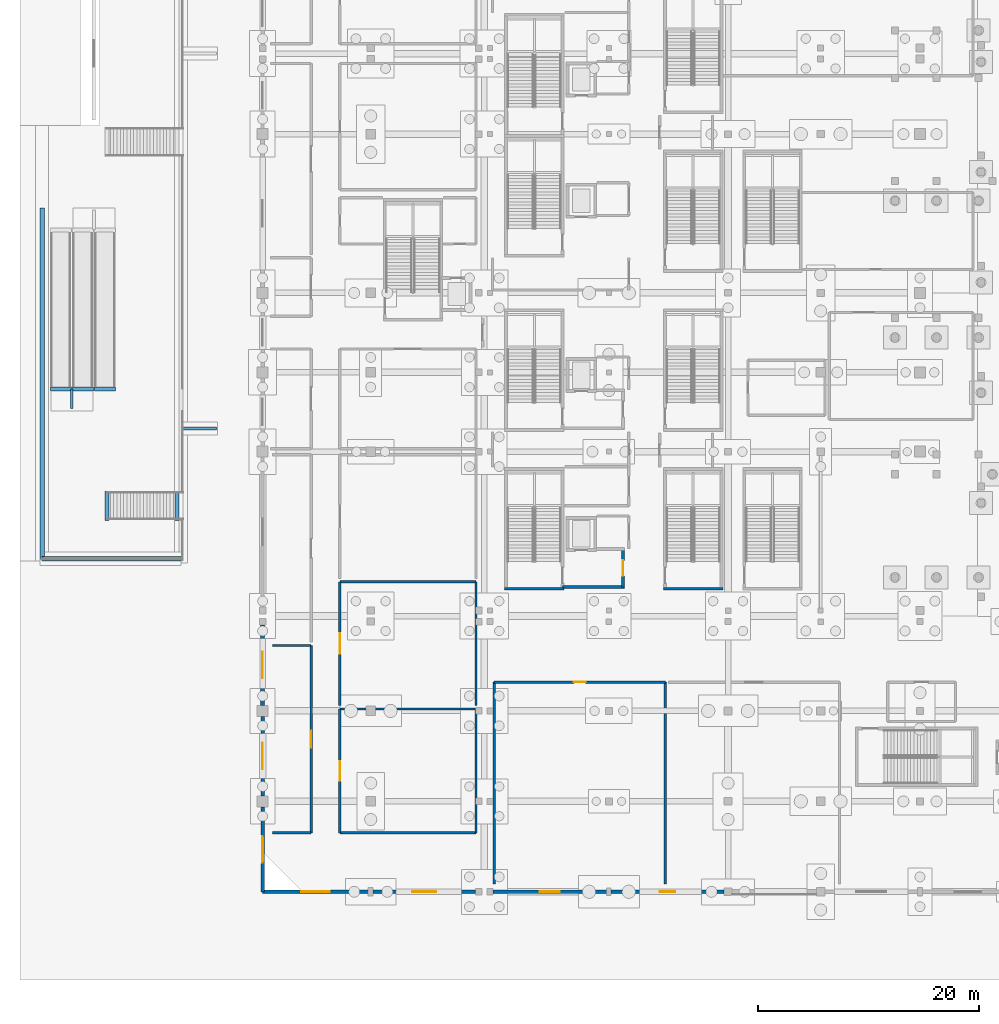
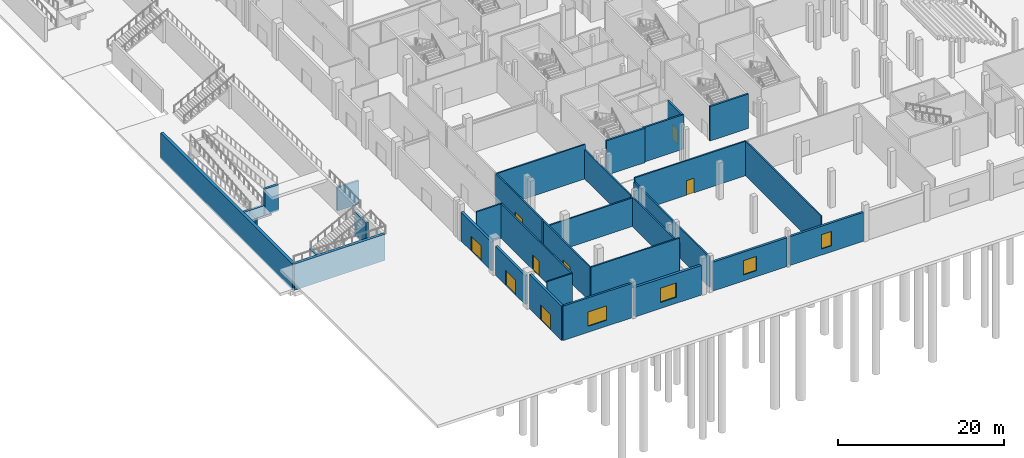
# One storey, part 28 of 89: 33 walls, 8 doors, 4 windows, 12 openings.
"""IFC4 building model written with IfcOpenShell, lengths in metres."""

from ifc_helpers import new_model, si_unit, direction, frame, frame_2d, origin, place, context, subcontext, project, spatial, rectangle, extrude, material, layer, layer_set, type_object, element, fill, save


model = new_model("IFC4")

# Units and contexts
model_context = context("Model", 3, precision=1e-05, world=origin(), true_north=direction((0.0, 1.0)))
body_context = subcontext(model_context, "Body", "Model", "MODEL_VIEW")
ifc_project = project(units=[si_unit("LENGTHUNIT", "METRE"), si_unit("AREAUNIT", "SQUARE_METRE"), si_unit("VOLUMEUNIT", "CUBIC_METRE"), si_unit("PLANEANGLEUNIT", "RADIAN"), si_unit("MASSUNIT", "GRAM", prefix="KILO")], contexts=[model_context])

# Site, building, storey
site_placement = place(None, origin())
site = spatial("IfcSite", under=ifc_project, at=site_placement, CompositionType="ELEMENT")
building_placement = place(site_placement, origin())
building = spatial("IfcBuilding", under=site, at=building_placement, Name="Koshinbarg Plaza Stadium", CompositionType="ELEMENT")
storey_placement = place(building_placement, origin())
storey = spatial("IfcBuildingStorey", under=building, at=storey_placement, Name="L00", CompositionType="ELEMENT", Elevation=0.0)

# Walls
ifc_material_1 = material(Name="Concrete C40/50", Category="concrete")
ifc_layer_1 = layer(ifc_material_1, 0.25)
ifc_layer_set_1 = layer_set([ifc_layer_1], Name="Concrete C40/50")
wall_type_1 = type_object("IfcWallType", Name="WL-CORE-250", PredefinedType="SHEAR", material=ifc_layer_set_1)
wall_1_placement = place(storey_placement, frame((25.949951171875, 27.47509765625, 0.0), z_axis=(0.0, 0.0, 1.0), x_axis=(1.0, 0.0, 0.0)))
element("IfcWall", 1, at=wall_1_placement, inside=storey, type_object=wall_type_1, Name="L00 core stair shear wall C01-near IWL-L00-0001", PredefinedType="SHEAR", context=body_context, shape_type="SweptSolid", body=[
    extrude(rectangle(XDim=5.3701171875, YDim=0.25, at=frame_2d((2.68505859375, 0.0))), origin(), (0.0, 0.0, 1.0), 5.080078125),
])
wall_2_placement = place(storey_placement, frame((40.35009765625, 27.47509765625, 0.0), z_axis=(0.0, 0.0, 1.0), x_axis=(1.0, 0.0, 0.0)))
element("IfcWall", 2, at=wall_2_placement, inside=storey, type_object=wall_type_1, Name="L00 vomitory stair shear wall VX01-near IWL-L00-0354", PredefinedType="SHEAR", context=body_context, shape_type="SweptSolid", body=[
    extrude(rectangle(XDim=5.369873046875, YDim=0.25, at=frame_2d((2.68505859375, 0.0))), origin(), (0.0, 0.0, 1.0), 5.080078125),
])

# Wall, opening, door
wall_3_placement = place(storey_placement, frame((36.675048828125, 27.625, 0.0), z_axis=(0.0, 0.0, 1.0), x_axis=(0.0, 1.0, 0.0)))
wall_3 = element("IfcWall", 3, at=wall_3_placement, inside=storey, type_object=wall_type_1, Name="L00 firefighting lobby wall C01-E IWL-L00-0614", PredefinedType="SHEAR", context=body_context, shape_type="SweptSolid", body=[
    extrude(rectangle(XDim=3.449951171875, YDim=0.25, at=frame_2d((1.72509765625, 0.0))), origin(), (0.0, 0.0, 1.0), 5.080078125),
])
opening_1_placement = place(wall_3_placement, frame((1.02490234375, 0.0, 0.0)))
opening_1 = element("IfcOpeningElement", 4, at=opening_1_placement, cuts=wall_3, Name="Opening D-0216", PredefinedType="OPENING", context=body_context, shape_type="SweptSolid", body=[
    extrude(rectangle(XDim=1.39990234375, YDim=2.14990234375, at=frame_2d((0.699951171875, 1.074951171875))), frame((0.0, 0.135009765625, 0.0), z_axis=(0.0, -1.0, 0.0), x_axis=(1.0, 0.0, 0.0)), (0.0, 0.0, 1.0), 0.27001953125),
])
ifc_material_2 = material(Name="Smoke-sealed steel firefighting lobby door", Category="steel")
door_type_1 = type_object("IfcDoorType", Name="DR-FFLOB-1400", OperationType="NOTDEFINED", PredefinedType="DOOR", material=ifc_material_2)
door_1_placement = place(opening_1_placement, origin())
door_1 = element("IfcDoor", 5, at=door_1_placement, inside=storey, type_object=door_type_1, Name="L00 firefighting lobby fire door C01", OperationType="DOUBLE_DOOR_SINGLE_SWING", OverallHeight=2.14990234375, OverallWidth=1.39990234375, PredefinedType="DOOR", context=body_context, shape_type="SweptSolid", body=[
    extrude(rectangle(XDim=1.39990234375, YDim=2.14990234375, at=frame_2d((0.699951171875, 1.074951171875))), frame((0.0, 0.02490234375, 0.0), z_axis=(0.0, -1.0, 0.0), x_axis=(1.0, 0.0, 0.0)), (0.0, 0.0, 1.0), 0.050048828125),
])
fill(opening_1, door_1)

# Wall
wall_4_placement = place(storey_placement, frame((31.199951171875, 27.625, 0.0), z_axis=(0.0, 0.0, 1.0), x_axis=(1.0, 0.0, 0.0)))
element("IfcWall", 6, at=wall_4_placement, inside=storey, type_object=wall_type_1, Name="L00 firefighting lobby wall C01-S IWL-L00-0616", PredefinedType="SHEAR", context=body_context, shape_type="SweptSolid", body=[
    extrude(rectangle(XDim=5.60009765625, YDim=0.25, at=frame_2d((2.800048828125, 0.0))), origin(), (0.0, 0.0, 1.0), 5.080078125),
])

# Wall, opening, window
ifc_material_3 = material(Name="Terracotta-ochre mineral plaster insulated wall", Category="masonry")
ifc_layer_2 = layer(ifc_material_3, 0.280029296875)
ifc_layer_set_2 = layer_set([ifc_layer_2], Name="Terracotta-ochre mineral plaster insulated wall")
wall_type_2 = type_object("IfcWallType", Name="WL-EXT-280", PredefinedType="SOLIDWALL", material=ifc_layer_set_2)
wall_5_placement = place(storey_placement, frame((13.580078125, 0.0, 0.0), z_axis=(0.0, 0.0, 1.0), x_axis=(-1.0, 0.0, 0.0)))
wall_5 = element("IfcWall", 7, at=wall_5_placement, inside=storey, type_object=wall_type_2, Name="L00 exterior envelope wall EWL-L00-0072", PredefinedType="SOLIDWALL", context=body_context, shape_type="SweptSolid", body=[
    extrude(rectangle(XDim=9.580078125, YDim=0.280029296875, at=frame_2d((4.7900390625, 0.0))), origin(), (0.0, 0.0, 1.0), 5.080078125),
])
opening_2_placement = place(wall_5_placement, frame((3.489990234375, 0.0, 0.89990234375)))
opening_2 = element("IfcOpeningElement", 8, at=opening_2_placement, cuts=wall_5, Name="Opening WN16", PredefinedType="OPENING", context=body_context, shape_type="SweptSolid", body=[
    extrude(rectangle(XDim=2.60009765625, YDim=2.10009765625, at=frame_2d((1.300048828125, 1.050048828125))), frame((0.0, 0.14990234375, 0.0), z_axis=(0.0, -1.0, 0.0), x_axis=(1.0, 0.0, 0.0)), (0.0, 0.0, 1.0), 0.300048828125),
])
ifc_material_4 = material(Name="Solar-control double glazing in thermally broken aluminium frame", Category="aluminium")
window_type_1 = type_object("IfcWindowType", Name="WN-FAC-16", PartitioningType="DOUBLE_PANEL_VERTICAL", PredefinedType="WINDOW", material=ifc_material_4)
window_1_placement = place(opening_2_placement, origin())
window_1 = element("IfcWindow", 9, at=window_1_placement, inside=storey, type_object=window_type_1, Name="L00 facade window 0015", OverallHeight=2.10009765625, OverallWidth=2.60009765625, PartitioningType="SINGLE_PANEL", PredefinedType="WINDOW", context=body_context, shape_type="SweptSolid", body=[
    extrude(rectangle(XDim=2.60009765625, YDim=2.10009765625, at=frame_2d((1.300048828125, 1.050048828125))), frame((0.0, 0.030029296875, 0.0), z_axis=(0.0, -1.0, 0.0), x_axis=(1.0, 0.0, 0.0)), (0.0, 0.0, 1.0), 0.06005859375),
])
fill(opening_2, window_1)

# Wall, opening, door
ifc_material_5 = material(Name="Off-white mineral plaster insulated wall", Category="masonry")
ifc_layer_3 = layer(ifc_material_5, 0.300048828125)
ifc_layer_set_3 = layer_set([ifc_layer_3], Name="Off-white mineral plaster insulated wall")
wall_type_3 = type_object("IfcWallType", Name="WL-EXT-300", PredefinedType="SOLIDWALL", material=ifc_layer_set_3)
wall_6_placement = place(storey_placement, frame((4.0, 0.0, 0.0), z_axis=(0.0, 0.0, 1.0), x_axis=(0.0, 1.0, 0.0)))
wall_6 = element("IfcWall", 10, at=wall_6_placement, inside=storey, type_object=wall_type_3, Name="L00 exterior envelope wall EWL-L00-0001", PredefinedType="SOLIDWALL", context=body_context, shape_type="SweptSolid", body=[
    extrude(rectangle(XDim=7.705078125, YDim=0.300048828125, at=frame_2d((3.8525390625, 0.0))), origin(), (0.0, 0.0, 1.0), 5.080078125),
])
opening_3_placement = place(wall_6_placement, frame((2.652587890625, 0.0, 0.0)))
opening_3 = element("IfcOpeningElement", 11, at=opening_3_placement, cuts=wall_6, Name="Opening D-0002", PredefinedType="OPENING", context=body_context, shape_type="SweptSolid", body=[
    extrude(rectangle(XDim=2.39990234375, YDim=2.199951171875, at=frame_2d((1.199951171875, 1.10009765625))), frame((0.0, 0.159912109375, 0.0), z_axis=(0.0, -1.0, 0.0), x_axis=(1.0, 0.0, 0.0)), (0.0, 0.0, 1.0), 0.320068359375),
])
ifc_material_6 = material(Name="Anodised aluminium thermally broken exit door", Category="aluminium")
door_type_2 = type_object("IfcDoorType", Name="DR-EXIT-2400", OperationType="NOTDEFINED", PredefinedType="DOOR", material=ifc_material_6)
door_2_placement = place(opening_3_placement, origin())
door_2 = element("IfcDoor", 12, at=door_2_placement, inside=storey, type_object=door_type_2, Name="Main exit E01", OperationType="DOUBLE_DOOR_SINGLE_SWING", OverallHeight=2.199951171875, OverallWidth=2.39990234375, PredefinedType="DOOR", context=body_context, shape_type="SweptSolid", body=[
    extrude(rectangle(XDim=2.39990234375, YDim=2.199951171875, at=frame_2d((1.199951171875, 1.10009765625))), frame((0.0, 0.02490234375, 0.0), z_axis=(0.0, -1.0, 0.0), x_axis=(1.0, 0.0, 0.0)), (0.0, 0.0, 1.0), 0.050048828125),
])
fill(opening_3, door_2)

# Wall, opening, window
wall_7_placement = place(storey_placement, frame((45.85498046875, 0.0, 0.0), z_axis=(0.0, 0.0, 1.0), x_axis=(-1.0, 0.0, 0.0)))
wall_7 = element("IfcWall", 13, at=wall_7_placement, inside=storey, type_object=wall_type_3, Name="L00 exterior envelope wall EWL-L00-0069", PredefinedType="SOLIDWALL", context=body_context, shape_type="SweptSolid", body=[
    extrude(rectangle(XDim=10.260009765625, YDim=0.300048828125, at=frame_2d((5.1298828125, 0.0))), origin(), (0.0, 0.0, 1.0), 4.260009765625),
])
opening_4_placement = place(wall_7_placement, frame((4.429931640625, 0.0, 0.89990234375)))
opening_4 = element("IfcOpeningElement", 14, at=opening_4_placement, cuts=wall_7, Name="Opening WN13", PredefinedType="OPENING", context=body_context, shape_type="SweptSolid", body=[
    extrude(rectangle(XDim=1.39990234375, YDim=2.10009765625, at=frame_2d((0.699951171875, 1.050048828125))), frame((0.0, 0.159912109375, 0.0), z_axis=(0.0, -1.0, 0.0), x_axis=(1.0, 0.0, 0.0)), (0.0, 0.0, 1.0), 0.320068359375),
])
window_type_2 = type_object("IfcWindowType", Name="WN-FAC-13", PartitioningType="DOUBLE_PANEL_VERTICAL", PredefinedType="WINDOW", material=ifc_material_4)
window_2_placement = place(opening_4_placement, origin())
window_2 = element("IfcWindow", 15, at=window_2_placement, inside=storey, type_object=window_type_2, Name="L00 facade window 0012", OverallHeight=2.10009765625, OverallWidth=1.39990234375, PartitioningType="SINGLE_PANEL", PredefinedType="WINDOW", context=body_context, shape_type="SweptSolid", body=[
    extrude(rectangle(XDim=1.39990234375, YDim=2.10009765625, at=frame_2d((0.699951171875, 1.050048828125))), frame((0.0, 0.030029296875, 0.0), z_axis=(0.0, -1.0, 0.0), x_axis=(1.0, 0.0, 0.0)), (0.0, 0.0, 1.0), 0.06005859375),
])
fill(opening_4, window_2)

# Wall, opening, door
ifc_material_7 = material(Name="Ultramarine-blue pigmented mineral plaster facade wall", Category="masonry")
ifc_layer_4 = layer(ifc_material_7, 0.320068359375)
ifc_layer_set_4 = layer_set([ifc_layer_4], Name="Ultramarine-blue pigmented mineral plaster facade wall")
wall_type_4 = type_object("IfcWallType", Name="WL-EXT-320", PredefinedType="SOLIDWALL", material=ifc_layer_set_4)
wall_8_placement = place(storey_placement, frame((4.0, 8.695068359375, 0.0), z_axis=(0.0, 0.0, 1.0), x_axis=(0.0, 1.0, 0.0)))
wall_8 = element("IfcWall", 16, at=wall_8_placement, inside=storey, type_object=wall_type_4, Name="L00 exterior envelope wall EWL-L00-0002", PredefinedType="SOLIDWALL", context=body_context, shape_type="SweptSolid", body=[
    extrude(rectangle(XDim=7.2099609375, YDim=0.320068359375, at=frame_2d((3.60498046875, 0.0))), origin(), (0.0, 0.0, 1.0), 4.260009765625),
])
opening_5_placement = place(wall_8_placement, frame((2.405029296875, 0.0, 0.0)))
opening_5 = element("IfcOpeningElement", 17, at=opening_5_placement, cuts=wall_8, Name="Opening D-0003", PredefinedType="OPENING", context=body_context, shape_type="SweptSolid", body=[
    extrude(rectangle(XDim=2.39990234375, YDim=2.199951171875, at=frame_2d((1.199951171875, 1.10009765625))), frame((0.0, 0.169921875, 0.0), z_axis=(0.0, -1.0, 0.0), x_axis=(1.0, 0.0, 0.0)), (0.0, 0.0, 1.0), 0.340087890625),
])
door_3_placement = place(opening_5_placement, origin())
door_3 = element("IfcDoor", 18, at=door_3_placement, inside=storey, type_object=door_type_2, Name="Main exit E02", OperationType="DOUBLE_DOOR_SINGLE_SWING", OverallHeight=2.199951171875, OverallWidth=2.39990234375, PredefinedType="DOOR", context=body_context, shape_type="SweptSolid", body=[
    extrude(rectangle(XDim=2.39990234375, YDim=2.199951171875, at=frame_2d((1.199951171875, 1.10009765625))), frame((0.0, 0.02490234375, 0.0), z_axis=(0.0, -1.0, 0.0), x_axis=(1.0, 0.0, 0.0)), (0.0, 0.0, 1.0), 0.050048828125),
])
fill(opening_5, door_3)

# Wall, opening, window
wall_9_placement = place(storey_placement, frame((35.205078125, 0.0, 0.0), z_axis=(0.0, 0.0, 1.0), x_axis=(-1.0, 0.0, 0.0)))
wall_9 = element("IfcWall", 19, at=wall_9_placement, inside=storey, type_object=wall_type_4, Name="L00 exterior envelope wall EWL-L00-0070", PredefinedType="SOLIDWALL", context=body_context, shape_type="SweptSolid", body=[
    extrude(rectangle(XDim=10.3349609375, YDim=0.320068359375, at=frame_2d((5.16748046875, 0.0))), origin(), (0.0, 0.0, 1.0), 4.260009765625),
])
opening_6_placement = place(wall_9_placement, frame((4.267578125, 0.0, 0.89990234375)))
opening_6 = element("IfcOpeningElement", 20, at=opening_6_placement, cuts=wall_9, Name="Opening WN14", PredefinedType="OPENING", context=body_context, shape_type="SweptSolid", body=[
    extrude(rectangle(XDim=1.800048828125, YDim=2.10009765625, at=frame_2d((0.89990234375, 1.050048828125))), frame((0.0, 0.169921875, 0.0), z_axis=(0.0, -1.0, 0.0), x_axis=(1.0, 0.0, 0.0)), (0.0, 0.0, 1.0), 0.340087890625),
])
window_type_3 = type_object("IfcWindowType", Name="WN-FAC-14", PartitioningType="DOUBLE_PANEL_VERTICAL", PredefinedType="WINDOW", material=ifc_material_4)
window_3_placement = place(opening_6_placement, origin())
window_3 = element("IfcWindow", 21, at=window_3_placement, inside=storey, type_object=window_type_3, Name="L00 facade window 0013", OverallHeight=2.10009765625, OverallWidth=1.800048828125, PartitioningType="SINGLE_PANEL", PredefinedType="WINDOW", context=body_context, shape_type="SweptSolid", body=[
    extrude(rectangle(XDim=1.800048828125, YDim=2.10009765625, at=frame_2d((0.89990234375, 1.050048828125))), frame((0.0, 0.030029296875, 0.0), z_axis=(0.0, -1.0, 0.0), x_axis=(1.0, 0.0, 0.0)), (0.0, 0.0, 1.0), 0.06005859375),
])
fill(opening_6, window_3)

# Wall, opening, door
ifc_material_8 = material(Name="Acoustic insulated masonry stadium wall", Category="masonry")
ifc_layer_5 = layer(ifc_material_8, 0.35009765625)
ifc_layer_set_5 = layer_set([ifc_layer_5], Name="Acoustic insulated masonry stadium wall")
wall_type_5 = type_object("IfcWallType", Name="WL-EXT-350", PredefinedType="SOLIDWALL", material=ifc_layer_set_5)
wall_10_placement = place(storey_placement, frame((4.0, 16.89501953125, 0.0), z_axis=(0.0, 0.0, 1.0), x_axis=(0.0, 1.0, 0.0)))
wall_10 = element("IfcWall", 22, at=wall_10_placement, inside=storey, type_object=wall_type_5, Name="L00 exterior envelope wall EWL-L00-0003", PredefinedType="SOLIDWALL", context=body_context, shape_type="SweptSolid", body=[
    extrude(rectangle(XDim=7.31005859375, YDim=0.35009765625, at=frame_2d((3.655029296875, 0.0))), origin(), (0.0, 0.0, 1.0), 4.260009765625),
])
opening_7_placement = place(wall_10_placement, frame((2.455078125, 0.0, 0.0)))
opening_7 = element("IfcOpeningElement", 23, at=opening_7_placement, cuts=wall_10, Name="Opening D-0004", PredefinedType="OPENING", context=body_context, shape_type="SweptSolid", body=[
    extrude(rectangle(XDim=2.39990234375, YDim=2.199951171875, at=frame_2d((1.199951171875, 1.10009765625))), frame((0.0, 0.18505859375, 0.0), z_axis=(0.0, -1.0, 0.0), x_axis=(1.0, 0.0, 0.0)), (0.0, 0.0, 1.0), 0.3701171875),
])
door_4_placement = place(opening_7_placement, origin())
door_4 = element("IfcDoor", 24, at=door_4_placement, inside=storey, type_object=door_type_2, Name="Main exit E03", OperationType="DOUBLE_DOOR_SINGLE_SWING", OverallHeight=2.199951171875, OverallWidth=2.39990234375, PredefinedType="DOOR", context=body_context, shape_type="SweptSolid", body=[
    extrude(rectangle(XDim=2.39990234375, YDim=2.199951171875, at=frame_2d((1.199951171875, 1.10009765625))), frame((0.0, 0.02490234375, 0.0), z_axis=(0.0, -1.0, 0.0), x_axis=(1.0, 0.0, 0.0)), (0.0, 0.0, 1.0), 0.050048828125),
])
fill(opening_7, door_4)

# Wall, opening, window
wall_11_placement = place(storey_placement, frame((23.304931640625, 0.0, 0.0), z_axis=(0.0, 0.0, 1.0), x_axis=(-1.0, 0.0, 0.0)))
wall_11 = element("IfcWall", 25, at=wall_11_placement, inside=storey, type_object=wall_type_5, Name="L00 exterior envelope wall EWL-L00-0071", PredefinedType="SOLIDWALL", context=body_context, shape_type="SweptSolid", body=[
    extrude(rectangle(XDim=9.284912109375, YDim=0.35009765625, at=frame_2d((4.642578125, 0.0))), origin(), (0.0, 0.0, 1.0), 4.360107421875),
])
opening_8_placement = place(wall_11_placement, frame((3.54248046875, 0.0, 0.89990234375)))
opening_8 = element("IfcOpeningElement", 26, at=opening_8_placement, cuts=wall_11, Name="Opening WN15", PredefinedType="OPENING", context=body_context, shape_type="SweptSolid", body=[
    extrude(rectangle(XDim=2.199951171875, YDim=2.10009765625, at=frame_2d((1.10009765625, 1.050048828125))), frame((0.0, 0.18505859375, 0.0), z_axis=(0.0, -1.0, 0.0), x_axis=(1.0, 0.0, 0.0)), (0.0, 0.0, 1.0), 0.3701171875),
])
window_type_4 = type_object("IfcWindowType", Name="WN-FAC-15", PartitioningType="DOUBLE_PANEL_VERTICAL", PredefinedType="WINDOW", material=ifc_material_4)
window_4_placement = place(opening_8_placement, origin())
window_4 = element("IfcWindow", 27, at=window_4_placement, inside=storey, type_object=window_type_4, Name="L00 facade window 0014", OverallHeight=2.10009765625, OverallWidth=2.199951171875, PartitioningType="SINGLE_PANEL", PredefinedType="WINDOW", context=body_context, shape_type="SweptSolid", body=[
    extrude(rectangle(XDim=2.199951171875, YDim=2.10009765625, at=frame_2d((1.10009765625, 1.050048828125))), frame((0.0, 0.030029296875, 0.0), z_axis=(0.0, -1.0, 0.0), x_axis=(1.0, 0.0, 0.0)), (0.0, 0.0, 1.0), 0.06005859375),
])
fill(opening_8, window_4)

# Wall
ifc_material_9 = material(Name="Autoclaved aerated blockwork fire partition", Category="masonry")
ifc_layer_6 = layer(ifc_material_9, 0.199951171875)
ifc_layer_set_6 = layer_set([ifc_layer_6], Name="Autoclaved aerated blockwork fire partition")
wall_type_6 = type_object("IfcWallType", Name="WL-PART-200", PredefinedType="PARTITIONING", material=ifc_layer_set_6)
wall_12_placement = place(storey_placement, frame((40.506591796875, 0.699951171875, 0.0), z_axis=(0.0, 0.0, 1.0), x_axis=(0.0, 1.0, 0.0)))
element("IfcWall", 28, at=wall_12_placement, inside=storey, type_object=wall_type_6, Name="L00 interior partition L00-136-east IWL-L00-1240", PredefinedType="PARTITIONING", context=body_context, shape_type="SweptSolid", body=[
    extrude(rectangle(XDim=18.300048828125, YDim=0.199951171875, at=frame_2d((9.14990234375, 0.0))), origin(), (0.0, 0.0, 1.0), 5.080078125),
])

# Wall, opening, door
wall_13_placement = place(storey_placement, frame((40.506591796875, 19.0, 0.0), z_axis=(0.0, 0.0, 1.0), x_axis=(-1.0, 0.0, 0.0)))
wall_13 = element("IfcWall", 29, at=wall_13_placement, inside=storey, type_object=wall_type_6, Name="L00 interior partition L00-136-north IWL-L00-1241", PredefinedType="PARTITIONING", context=body_context, shape_type="SweptSolid", body=[
    extrude(rectangle(XDim=15.511474609375, YDim=0.199951171875, at=frame_2d((7.755859375, 0.0))), origin(), (0.0, 0.0, 1.0), 5.080078125),
])
opening_9_placement = place(wall_13_placement, frame((7.23095703125, 0.0, 0.0)))
opening_9 = element("IfcOpeningElement", 30, at=opening_9_placement, cuts=wall_13, Name="Opening D-0405", PredefinedType="OPENING", context=body_context, shape_type="SweptSolid", body=[
    extrude(rectangle(XDim=1.050048828125, YDim=2.14990234375, at=frame_2d((0.52490234375, 1.074951171875))), frame((0.0, 0.10986328125, 0.0), z_axis=(0.0, -1.0, 0.0), x_axis=(1.0, 0.0, 0.0)), (0.0, 0.0, 1.0), 0.219970703125),
])
ifc_material_10 = material(Name="Solid-core oak suite entrance door")
door_type_3 = type_object("IfcDoorType", Name="DR-INT-1050x2150", OperationType="NOTDEFINED", PredefinedType="DOOR", material=ifc_material_10)
door_5_placement = place(opening_9_placement, origin())
door_5 = element("IfcDoor", 31, at=door_5_placement, inside=storey, type_object=door_type_3, Name="L00 Press Conference Auditorium door D-0405", OperationType="SINGLE_SWING_LEFT", OverallHeight=2.14990234375, OverallWidth=1.050048828125, PredefinedType="DOOR", context=body_context, shape_type="SweptSolid", body=[
    extrude(rectangle(XDim=1.050048828125, YDim=2.14990234375, at=frame_2d((0.52490234375, 1.074951171875))), frame((0.0, 0.02490234375, 0.0), z_axis=(0.0, -1.0, 0.0), x_axis=(1.0, 0.0, 0.0)), (0.0, 0.0, 1.0), 0.050048828125),
])
fill(opening_9, door_5)

# Walls
wall_14_placement = place(storey_placement, frame((24.9951171875, 19.0, 0.0), z_axis=(0.0, 0.0, 1.0), x_axis=(0.0, -1.0, 0.0)))
element("IfcWall", 32, at=wall_14_placement, inside=storey, type_object=wall_type_6, Name="L00 interior partition L00-136-west IWL-L00-1242", PredefinedType="PARTITIONING", context=body_context, shape_type="SweptSolid", body=[
    extrude(rectangle(XDim=18.300048828125, YDim=0.199951171875, at=frame_2d((9.14990234375, 0.0))), origin(), (0.0, 0.0, 1.0), 4.4599609375),
])
wall_15_placement = place(storey_placement, frame((4.89990234375, 5.35009765625, 0.0), z_axis=(0.0, 0.0, 1.0), x_axis=(1.0, 0.0, 0.0)))
element("IfcWall", 33, at=wall_15_placement, inside=storey, type_object=wall_type_6, Name="L00 interior partition L00-158-south IWL-L00-1302", PredefinedType="PARTITIONING", context=body_context, shape_type="SweptSolid", body=[
    extrude(rectangle(XDim=3.5, YDim=0.199951171875, at=frame_2d((1.75, 0.0))), origin(), (0.0, 0.0, 1.0), 5.080078125),
])

# Wall, opening, door
wall_16_placement = place(storey_placement, frame((8.39990234375, 5.35009765625, 0.0), z_axis=(0.0, 0.0, 1.0), x_axis=(0.0, 1.0, 0.0)))
wall_16 = element("IfcWall", 34, at=wall_16_placement, inside=storey, type_object=wall_type_6, Name="L00 interior partition L00-158-east IWL-L00-1303", PredefinedType="PARTITIONING", context=body_context, shape_type="SweptSolid", body=[
    extrude(rectangle(XDim=16.989990234375, YDim=0.199951171875, at=frame_2d((8.4951171875, 0.0))), origin(), (0.0, 0.0, 1.0), 5.080078125),
])
opening_10_placement = place(wall_16_placement, frame((7.719970703125, 0.0, 0.0)))
opening_10 = element("IfcOpeningElement", 35, at=opening_10_placement, cuts=wall_16, Name="Opening D-0427", PredefinedType="OPENING", context=body_context, shape_type="SweptSolid", body=[
    extrude(rectangle(XDim=1.550048828125, YDim=2.199951171875, at=frame_2d((0.77490234375, 1.10009765625))), frame((0.0, 0.10986328125, 0.0), z_axis=(0.0, -1.0, 0.0), x_axis=(1.0, 0.0, 0.0)), (0.0, 0.0, 1.0), 0.219970703125),
])
ifc_material_11 = material(Name="Toughened laminated glass in aluminium frame", Category="aluminium")
door_type_4 = type_object("IfcDoorType", Name="DR-INT-1550x2200", OperationType="NOTDEFINED", PredefinedType="DOOR", material=ifc_material_11)
door_6_placement = place(opening_10_placement, origin())
door_6 = element("IfcDoor", 36, at=door_6_placement, inside=storey, type_object=door_type_4, Name="L00 Hospitality Welcome Salon door D-0427", OperationType="DOUBLE_DOOR_SINGLE_SWING", OverallHeight=2.199951171875, OverallWidth=1.550048828125, PredefinedType="DOOR", context=body_context, shape_type="SweptSolid", body=[
    extrude(rectangle(XDim=1.550048828125, YDim=2.199951171875, at=frame_2d((0.77490234375, 1.10009765625))), frame((0.0, 0.02490234375, 0.0), z_axis=(0.0, -1.0, 0.0), x_axis=(1.0, 0.0, 0.0)), (0.0, 0.0, 1.0), 0.050048828125),
])
fill(opening_10, door_6)

# Walls
wall_17_placement = place(storey_placement, frame((8.39990234375, 22.340087890625, 0.0), z_axis=(0.0, 0.0, 1.0), x_axis=(-1.0, 0.0, 0.0)))
element("IfcWall", 37, at=wall_17_placement, inside=storey, type_object=wall_type_6, Name="L00 interior partition L00-158-north IWL-L00-1304", PredefinedType="PARTITIONING", context=body_context, shape_type="SweptSolid", body=[
    extrude(rectangle(XDim=3.5, YDim=0.199951171875, at=frame_2d((1.75, 0.0))), origin(), (0.0, 0.0, 1.0), 5.080078125),
])
wall_18_placement = place(storey_placement, frame((11.0, 5.35009765625, 0.0), z_axis=(0.0, 0.0, 1.0), x_axis=(1.0, 0.0, 0.0)))
element("IfcWall", 38, at=wall_18_placement, inside=storey, type_object=wall_type_6, Name="L00 interior partition L00-160-south IWL-L00-1307", PredefinedType="PARTITIONING", context=body_context, shape_type="SweptSolid", body=[
    extrude(rectangle(XDim=12.35498046875, YDim=0.199951171875, at=frame_2d((6.177490234375, 0.0))), origin(), (0.0, 0.0, 1.0), 5.080078125),
])
wall_19_placement = place(storey_placement, frame((23.35498046875, 5.35009765625, 0.0), z_axis=(0.0, 0.0, 1.0), x_axis=(0.0, 1.0, 0.0)))
element("IfcWall", 39, at=wall_19_placement, inside=storey, type_object=wall_type_6, Name="L00 interior partition L00-160-east IWL-L00-1308", PredefinedType="PARTITIONING", context=body_context, shape_type="SweptSolid", body=[
    extrude(rectangle(XDim=11.2265625, YDim=0.199951171875, at=frame_2d((5.61328125, 0.0))), origin(), (0.0, 0.0, 1.0), 4.31005859375),
])
wall_20_placement = place(storey_placement, frame((23.35498046875, 16.57666015625, 0.0), z_axis=(0.0, 0.0, 1.0), x_axis=(-1.0, 0.0, 0.0)))
element("IfcWall", 40, at=wall_20_placement, inside=storey, type_object=wall_type_6, Name="L00 interior partition L00-160-north IWL-L00-1309", PredefinedType="PARTITIONING", context=body_context, shape_type="SweptSolid", body=[
    extrude(rectangle(XDim=12.35498046875, YDim=0.199951171875, at=frame_2d((6.177490234375, 0.0))), origin(), (0.0, 0.0, 1.0), 4.2099609375),
])

# Wall, opening, door
wall_21_placement = place(storey_placement, frame((11.0, 16.57666015625, 0.0), z_axis=(0.0, 0.0, 1.0), x_axis=(0.0, -1.0, 0.0)))
wall_21 = element("IfcWall", 41, at=wall_21_placement, inside=storey, type_object=wall_type_6, Name="L00 interior partition L00-160-west IWL-L00-1310", PredefinedType="PARTITIONING", context=body_context, shape_type="SweptSolid", body=[
    extrude(rectangle(XDim=11.2265625, YDim=0.199951171875, at=frame_2d((5.61328125, 0.0))), origin(), (0.0, 0.0, 1.0), 5.080078125),
])
opening_11_placement = place(wall_21_placement, frame((4.7333984375, 0.0, 0.0)))
opening_11 = element("IfcOpeningElement", 42, at=opening_11_placement, cuts=wall_21, Name="Opening D-0429", PredefinedType="OPENING", context=body_context, shape_type="SweptSolid", body=[
    extrude(rectangle(XDim=1.760009765625, YDim=2.25, at=frame_2d((0.8798828125, 1.125))), frame((0.0, 0.10986328125, 0.0), z_axis=(0.0, -1.0, 0.0), x_axis=(1.0, 0.0, 0.0)), (0.0, 0.0, 1.0), 0.219970703125),
])
ifc_material_12 = material(Name="Solid-core oak veneer double swing door")
door_type_5 = type_object("IfcDoorType", Name="DR-INT-1760x2250", OperationType="NOTDEFINED", PredefinedType="DOOR", material=ifc_material_12)
door_7_placement = place(opening_11_placement, origin())
door_7 = element("IfcDoor", 43, at=door_7_placement, inside=storey, type_object=door_type_5, Name="L00 VIP and Media Accreditation Hall door D-0429", OperationType="DOUBLE_DOOR_SINGLE_SWING", OverallHeight=2.25, OverallWidth=1.760009765625, PredefinedType="DOOR", context=body_context, shape_type="SweptSolid", body=[
    extrude(rectangle(XDim=1.760009765625, YDim=2.25, at=frame_2d((0.8798828125, 1.125))), frame((0.0, 0.02490234375, 0.0), z_axis=(0.0, -1.0, 0.0), x_axis=(1.0, 0.0, 0.0)), (0.0, 0.0, 1.0), 0.050048828125),
])
fill(opening_11, door_7)

# Walls
wall_22_placement = place(storey_placement, frame((23.35498046875, 16.876708984375, 0.0), z_axis=(0.0, 0.0, 1.0), x_axis=(0.0, 1.0, 0.0)))
element("IfcWall", 44, at=wall_22_placement, inside=storey, type_object=wall_type_6, Name="L00 interior partition L00-161-east IWL-L00-1311", PredefinedType="PARTITIONING", context=body_context, shape_type="SweptSolid", body=[
    extrude(rectangle(XDim=11.2265625, YDim=0.199951171875, at=frame_2d((5.61328125, 0.0))), origin(), (0.0, 0.0, 1.0), 4.31005859375),
])
wall_23_placement = place(storey_placement, frame((23.35498046875, 28.103271484375, 0.0), z_axis=(0.0, 0.0, 1.0), x_axis=(-1.0, 0.0, 0.0)))
element("IfcWall", 45, at=wall_23_placement, inside=storey, type_object=wall_type_6, Name="L00 interior partition L00-161-north IWL-L00-1312", PredefinedType="PARTITIONING", context=body_context, shape_type="SweptSolid", body=[
    extrude(rectangle(XDim=12.35498046875, YDim=0.199951171875, at=frame_2d((6.177490234375, 0.0))), origin(), (0.0, 0.0, 1.0), 5.080078125),
])

# Wall, opening, door
wall_24_placement = place(storey_placement, frame((11.0, 28.103271484375, 0.0), z_axis=(0.0, 0.0, 1.0), x_axis=(0.0, -1.0, 0.0)))
wall_24 = element("IfcWall", 46, at=wall_24_placement, inside=storey, type_object=wall_type_6, Name="L00 interior partition L00-161-west IWL-L00-1313", PredefinedType="PARTITIONING", context=body_context, shape_type="SweptSolid", body=[
    extrude(rectangle(XDim=11.2265625, YDim=0.199951171875, at=frame_2d((5.61328125, 0.0))), origin(), (0.0, 0.0, 1.0), 5.080078125),
])
opening_12_placement = place(wall_24_placement, frame((4.683349609375, 0.0, 0.0)))
opening_12 = element("IfcOpeningElement", 47, at=opening_12_placement, cuts=wall_24, Name="Opening D-0430", PredefinedType="OPENING", context=body_context, shape_type="SweptSolid", body=[
    extrude(rectangle(XDim=1.860107421875, YDim=2.300048828125, at=frame_2d((0.93017578125, 1.14990234375))), frame((0.0, 0.10986328125, 0.0), z_axis=(0.0, -1.0, 0.0), x_axis=(1.0, 0.0, 0.0)), (0.0, 0.0, 1.0), 0.219970703125),
])
ifc_material_13 = material(Name="Acoustic solid-core walnut veneer fire door")
door_type_6 = type_object("IfcDoorType", Name="DR-INT-1860x2300", OperationType="NOTDEFINED", PredefinedType="DOOR", material=ifc_material_13)
door_8_placement = place(opening_12_placement, origin())
door_8 = element("IfcDoor", 48, at=door_8_placement, inside=storey, type_object=door_type_6, Name="L00 Southwest Ceremonial Concourse door D-0430", OperationType="DOUBLE_DOOR_SINGLE_SWING", OverallHeight=2.300048828125, OverallWidth=1.860107421875, PredefinedType="DOOR", context=body_context, shape_type="SweptSolid", body=[
    extrude(rectangle(XDim=1.860107421875, YDim=2.300048828125, at=frame_2d((0.93017578125, 1.14990234375))), frame((0.0, 0.02490234375, 0.0), z_axis=(0.0, -1.0, 0.0), x_axis=(1.0, 0.0, 0.0)), (0.0, 0.0, 1.0), 0.050048828125),
])
fill(opening_12, door_8)

# Walls
ifc_material_14 = material(Name="Concrete C35/45", Category="concrete")
ifc_layer_7 = layer(ifc_material_14, 0.39990234375)
ifc_layer_set_7 = layer_set([ifc_layer_7], Name="Concrete C35/45")
wall_type_7 = type_object("IfcWallType", Name="WL-RET-400", PredefinedType="USERDEFINED", material=ifc_layer_set_7)
wall_25_placement = place(storey_placement, frame((-3.199951171875, 42.0, -3.85009765625), z_axis=(0.0, 0.0, 1.0), x_axis=(1.0, 0.0, 0.0)))
element("IfcWall", 49, at=wall_25_placement, inside=storey, type_object=wall_type_7, Name="Forecourt rim buttress 42", ObjectType="RETAININGWALL", PredefinedType="USERDEFINED", context=body_context, shape_type="SweptSolid", body=[
    extrude(rectangle(XDim=3.0, YDim=0.300048828125, at=frame_2d((1.5, 0.0))), origin(), (0.0, 0.0, 1.0), 3.43017578125),
])
wall_26_placement = place(storey_placement, frame((-16.0, 30.199951171875, -3.85009765625), z_axis=(0.0, 0.0, 1.0), x_axis=(1.0, 0.0, 0.0)))
element("IfcWall", 50, at=wall_26_placement, inside=storey, type_object=wall_type_7, Name="Sunken metro forecourt retaining wall RW-FC-S", ObjectType="RETAININGWALL", PredefinedType="USERDEFINED", context=body_context, shape_type="SweptSolid", body=[
    extrude(rectangle(XDim=12.60009765625, YDim=0.39990234375, at=frame_2d((6.300048828125, 0.0))), origin(), (0.0, 0.0, 1.0), 3.85009765625),
])
wall_27_placement = place(storey_placement, frame((-16.0, 30.199951171875, -3.85009765625), z_axis=(0.0, 0.0, 1.0), x_axis=(0.0, 1.0, 0.0)))
element("IfcWall", 51, at=wall_27_placement, inside=storey, type_object=wall_type_7, Name="Sunken metro forecourt retaining wall RW-FC-W1", ObjectType="RETAININGWALL", PredefinedType="USERDEFINED", context=body_context, shape_type="SweptSolid", body=[
    extrude(rectangle(XDim=31.800048828125, YDim=0.39990234375, at=frame_2d((15.89990234375, 0.0))), origin(), (0.0, 0.0, 1.0), 3.85009765625),
])
wall_28_placement = place(storey_placement, frame((-15.25, 45.60009765625, -3.85009765625), z_axis=(0.0, 0.0, 1.0), x_axis=(1.0, 0.0, 0.0)))
element("IfcWall", 52, at=wall_28_placement, inside=storey, type_object=wall_type_7, Name="RMP-FC-S1 upper end bearing wall", ObjectType="RETAININGWALL", PredefinedType="USERDEFINED", context=body_context, shape_type="SweptSolid", body=[
    extrude(rectangle(XDim=1.89990234375, YDim=0.35009765625, at=frame_2d((0.949951171875, 0.0))), origin(), (0.0, 0.0, 1.0), 1.4501953125),
])
wall_29_placement = place(storey_placement, frame((-13.300048828125, 43.800048828125, -3.85009765625), z_axis=(0.0, 0.0, 1.0), x_axis=(0.0, 1.0, 0.0)))
element("IfcWall", 53, at=wall_29_placement, inside=storey, type_object=wall_type_7, Name="RMP-FC-S1 landing centre pier", ObjectType="RETAININGWALL", PredefinedType="USERDEFINED", context=body_context, shape_type="SweptSolid", body=[
    extrude(rectangle(XDim=1.75, YDim=0.25, at=frame_2d((0.875, 0.0))), origin(), (0.0, 0.0, 1.0), 1.22998046875),
])
wall_30_placement = place(storey_placement, frame((-13.25, 45.60009765625, -3.85009765625), z_axis=(0.0, 0.0, 1.0), x_axis=(1.0, 0.0, 0.0)))
element("IfcWall", 54, at=wall_30_placement, inside=storey, type_object=wall_type_7, Name="RMP-FC-S2 lower end bearing wall", ObjectType="RETAININGWALL", PredefinedType="USERDEFINED", context=body_context, shape_type="SweptSolid", body=[
    extrude(rectangle(XDim=1.89990234375, YDim=0.35009765625, at=frame_2d((0.949951171875, 0.0))), origin(), (0.0, 0.0, 1.0), 1.4501953125),
])
wall_31_placement = place(storey_placement, frame((-11.25, 45.60009765625, -3.85009765625), z_axis=(0.0, 0.0, 1.0), x_axis=(1.0, 0.0, 0.0)))
element("IfcWall", 55, at=wall_31_placement, inside=storey, type_object=wall_type_7, Name="RMP-FC-S3 upper end bearing wall", ObjectType="RETAININGWALL", PredefinedType="USERDEFINED", context=body_context, shape_type="SweptSolid", body=[
    extrude(rectangle(XDim=1.89990234375, YDim=0.35009765625, at=frame_2d((0.949951171875, 0.0))), origin(), (0.0, 0.0, 1.0), 3.85009765625),
])
wall_32_placement = place(storey_placement, frame((-10.10009765625, 33.64990234375, -3.85009765625), z_axis=(0.0, 0.0, 1.0), x_axis=(0.0, 1.0, 0.0)))
element("IfcWall", 56, at=wall_32_placement, inside=storey, type_object=wall_type_7, Name="ST-FC-01 flight bearing wall 1", ObjectType="RETAININGWALL", PredefinedType="USERDEFINED", context=body_context, shape_type="SweptSolid", body=[
    extrude(rectangle(XDim=2.7001953125, YDim=0.35009765625, at=frame_2d((1.35009765625, 0.0))), origin(), (0.0, 0.0, 1.0), 0.300048828125),
])
wall_33_placement = place(storey_placement, frame((-3.780029296875, 33.64990234375, -3.85009765625), z_axis=(0.0, 0.0, 1.0), x_axis=(0.0, 1.0, 0.0)))
element("IfcWall", 57, at=wall_33_placement, inside=storey, type_object=wall_type_7, Name="ST-FC-01 flight bearing wall 2", ObjectType="RETAININGWALL", PredefinedType="USERDEFINED", context=body_context, shape_type="SweptSolid", body=[
    extrude(rectangle(XDim=2.7001953125, YDim=0.35009765625, at=frame_2d((1.35009765625, 0.0))), origin(), (0.0, 0.0, 1.0), 3.5),
])

save(model, "model.ifc")
